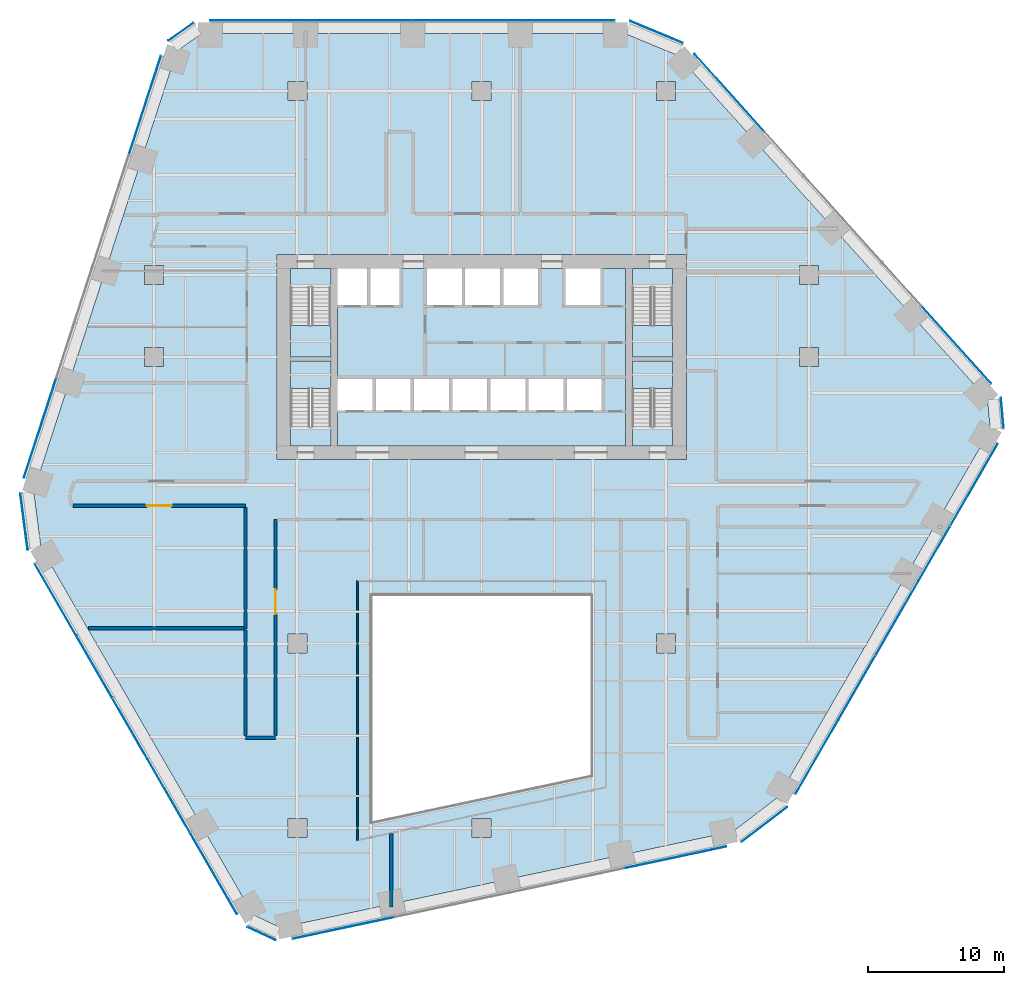
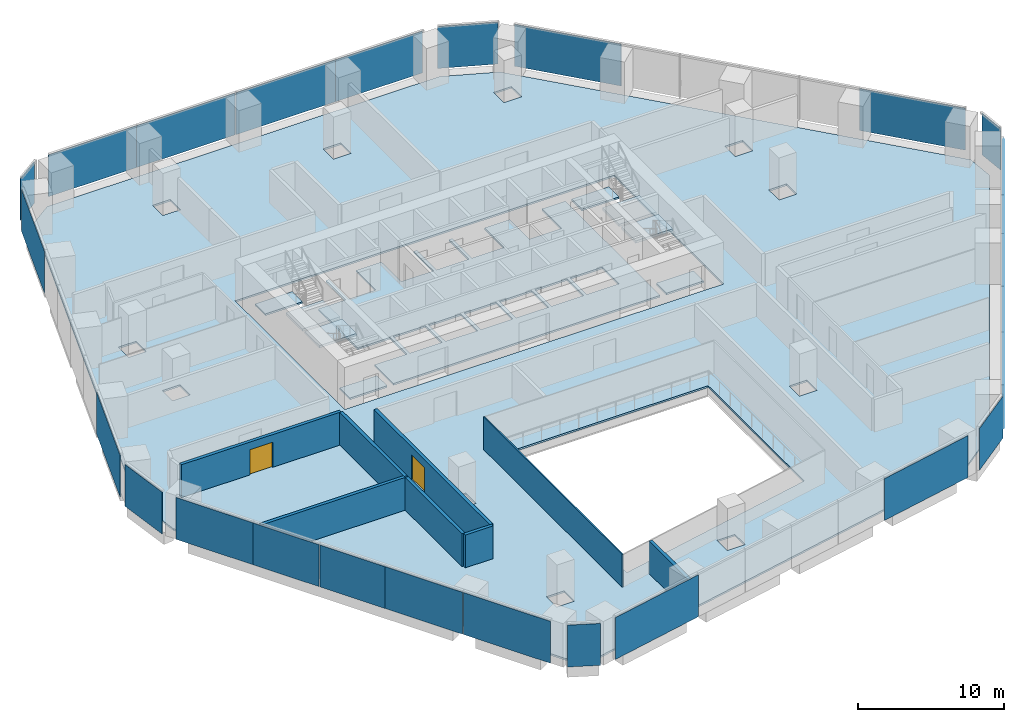
# One storey, part 13 of 20: 26 plates, 10 slabs, 8 walls, 2 doors, 2 openings, 16 elements without a shape of their own.
"""IFC4 building model written with IfcOpenShell, lengths in metres."""

import ifcopenshell
import ifcopenshell.guid

model = None  # the IFC model being written
_history = None  # IfcOwnerHistory: only IFC2X3 demands one
_inside = {}  # id of a spatial element -> (the spatial element, [elements in it])
_under = {}  # id of a project, library or spatial element -> (it, [spatial elements below it])
_declared = {}  # id of a project -> (the project, [libraries it declares])
_typed = {}  # id of a type object -> (the type object, [elements of that type])
_made_of = {}  # id of a material, layer set ... -> (it, [elements and type objects made of it])


def new_model(schema):
    """Start an empty IFC model of exactly this schema.

    Asked for "IFC4X3", IfcOpenShell would pick the latest addendum, in which some entities
    have other attributes; the version numbers below select the first issue.
    IFC2X3 requires an IfcOwnerHistory on every rooted entity: one is made here for all.
    """
    global model, _history
    if schema == "IFC4X3":
        model = ifcopenshell.file(schema_version=(4, 3, 0, 0))
    else:
        model = ifcopenshell.file(schema=schema)
    _inside.clear()
    _under.clear()
    _declared.clear()
    _typed.clear()
    _made_of.clear()
    _history = None
    if model.schema == "IFC2X3":
        org = make("IfcOrganization", Name="unknown")
        user = make(
            "IfcPersonAndOrganization",
            ThePerson=make("IfcPerson", FamilyName="unknown"),
            TheOrganization=org,
        )
        app = make(
            "IfcApplication",
            ApplicationDeveloper=org,
            Version="unknown",
            ApplicationFullName="unknown",
            ApplicationIdentifier="unknown",
        )
        _history = make(
            "IfcOwnerHistory",
            OwningUser=user,
            OwningApplication=app,
            ChangeAction="ADDED",
            CreationDate=0,
        )
    return model


def make(cls, **values):
    """One entity of the class cls with the attributes given. An attribute that is None is left unset."""
    return model.create_entity(
        cls, **{name: value for name, value in values.items() if value is not None}
    )


def rooted(cls, **values):
    """An entity with a GlobalId (a new one), such as an element, a storey or a relation."""
    return make(cls, GlobalId=ifcopenshell.guid.new(), OwnerHistory=_history, **values)


def si_unit(unit_type, name, prefix=None):
    """IfcSIUnit, for example si_unit("LENGTHUNIT", "METRE", prefix="MILLI")."""
    return make("IfcSIUnit", UnitType=unit_type, Prefix=prefix, Name=name)


def assignment(units):
    """IfcUnitAssignment: the units of a project."""
    return None if units is None else make("IfcUnitAssignment", Units=units)


def point(xyz):
    """IfcCartesianPoint."""
    return None if xyz is None else make("IfcCartesianPoint", Coordinates=xyz)


def direction(xyz):
    """IfcDirection."""
    return None if xyz is None else make("IfcDirection", DirectionRatios=xyz)


def frame(location, z_axis=None, x_axis=None):
    """IfcAxis2Placement3D, a coordinate frame: its origin and axes. An axis left out is left unset."""
    return make(
        "IfcAxis2Placement3D",
        Location=point(location),
        Axis=direction(z_axis),
        RefDirection=direction(x_axis),
    )


def frame_2d(location, x_axis=None):
    """IfcAxis2Placement2D, a coordinate frame in the plane: its origin and x axis."""
    return make(
        "IfcAxis2Placement2D", Location=point(location), RefDirection=direction(x_axis)
    )


def origin():
    """The frame at (0, 0, 0) with its axes left unset."""
    return frame((0.0, 0.0, 0.0))


def origin_2d():
    """The frame at (0, 0) in the plane with its x axis left unset."""
    return frame_2d((0.0, 0.0))


def place(relative_to, where):
    """IfcLocalPlacement: puts the frame where relative to a parent placement (None: the world)."""
    return make(
        "IfcLocalPlacement", PlacementRelTo=relative_to, RelativePlacement=where
    )


def context(
    kind, dimensions, precision=None, world=None, true_north=None, identifier=None
):
    """IfcGeometricRepresentationContext, for example the 3D "Model" context."""
    return make(
        "IfcGeometricRepresentationContext",
        ContextIdentifier=identifier,
        ContextType=kind,
        CoordinateSpaceDimension=dimensions,
        Precision=precision,
        WorldCoordinateSystem=world,
        TrueNorth=true_north,
    )


def subcontext(parent, identifier, kind, view, scale=None):
    """IfcGeometricRepresentationSubContext, for example "Body" below "Model"."""
    return make(
        "IfcGeometricRepresentationSubContext",
        ContextIdentifier=identifier,
        ContextType=kind,
        ParentContext=parent,
        TargetScale=scale,
        TargetView=view,
    )


def project(units=None, contexts=None):
    """IfcProject with its units and contexts."""
    return rooted(
        "IfcProject",
        Name="project",
        RepresentationContexts=contexts,
        UnitsInContext=assignment(units),
    )


def spatial(cls, under=None, at=None, **own):
    """A site, building, storey or space (cls), placed at a placement, below another one or the project."""
    s = rooted(cls, ObjectPlacement=at, **own)
    if under is not None:
        _under.setdefault(under.id(), (under, []))[1].append(s)
    return s


def polyline(points):
    """IfcPolyline through the points."""
    return make("IfcPolyline", Points=[point(p) for p in points])


def profile(cls, at=None, kind="AREA", **sizes):
    """A parametric profile (cls). Its sizes go by their IFC names, for example OverallWidth=200.0."""
    return make(cls, ProfileType=kind, Position=at, **sizes)


def rectangle(**sizes):
    """IfcRectangleProfileDef."""
    return profile("IfcRectangleProfileDef", **sizes)


def outline(outer, holes=None, kind="AREA"):
    """IfcArbitraryClosedProfileDef: a profile drawn as a closed curve; with holes, ...WithVoids."""
    if holes is None:
        return make("IfcArbitraryClosedProfileDef", ProfileType=kind, OuterCurve=outer)
    return make(
        "IfcArbitraryProfileDefWithVoids",
        ProfileType=kind,
        OuterCurve=outer,
        InnerCurves=holes,
    )


def extrude(swept, where, along, depth):
    """IfcExtrudedAreaSolid: the profile swept, set in the frame where, extruded along a direction by depth."""
    return make(
        "IfcExtrudedAreaSolid",
        SweptArea=swept,
        Position=where,
        ExtrudedDirection=direction(along),
        Depth=depth,
    )


def shape(context_of_items, identifier, shape_type, items):
    """IfcShapeRepresentation: the items that make up one representation, for example the "Body"."""
    return make(
        "IfcShapeRepresentation",
        ContextOfItems=context_of_items,
        RepresentationIdentifier=identifier,
        RepresentationType=shape_type,
        Items=items,
    )


def material(Name=None, Category=None):
    """IfcMaterial."""
    return make("IfcMaterial", Name=Name, Category=Category)


def layer(
    of_material, thickness, ventilated=None, Name=None, Category=None, Priority=None
):
    """IfcMaterialLayer: one layer of a wall or slab, of a material (None: an air gap)."""
    return make(
        "IfcMaterialLayer",
        Material=of_material,
        LayerThickness=thickness,
        IsVentilated=ventilated,
        Name=Name,
        Category=Category,
        Priority=Priority,
    )


def layer_set(layers, Name=None):
    """IfcMaterialLayerSet."""
    return make("IfcMaterialLayerSet", MaterialLayers=layers, LayerSetName=Name)


def made_of(thing, what):
    """Note that an element or type object is made of a material, layer set ...; save() writes the relation."""
    if what is not None:
        _made_of.setdefault(what.id(), (what, []))[1].append(thing)
    return thing


def type_object(cls, material=None, **own):
    """A type object (cls), such as IfcWallType, which elements share."""
    return made_of(rooted(cls, **own), material)


def element(
    cls,
    number,
    at=None,
    inside=None,
    cuts=None,
    type_object=None,
    material=None,
    context=None,
    identifier="Body",
    shape_type=None,
    held_by="IfcProductDefinitionShape",
    body=None,
    shapes=None,
    **own,
):
    """One element of the class cls, such as IfcWall. Its Tag is "e" and its number.

    at: its placement. inside: the storey or other place that contains it. cuts: it is an
    opening in that element (IfcRelVoidsElement). A single representation is given by context,
    identifier, shape_type and body (its items); several are given by shapes. held_by: the class
    of the entity that holds the representations. save() writes the other relations.
    """
    e = rooted(cls, Tag="e%d" % number, ObjectPlacement=at, **own)
    if body is not None:
        shapes = [shape(context, identifier, shape_type, body)]
    if shapes is not None:
        e.Representation = make(held_by, Representations=shapes)
    if inside is not None:
        _inside.setdefault(inside.id(), (inside, []))[1].append(e)
    if cuts is not None:
        rooted(
            "IfcRelVoidsElement", RelatingBuildingElement=cuts, RelatedOpeningElement=e
        )
    if type_object is not None:
        _typed.setdefault(type_object.id(), (type_object, []))[1].append(e)
    return made_of(e, material)


def fill(opening, filler):
    """IfcRelFillsElement: the door or window that sits in an opening."""
    return rooted(
        "IfcRelFillsElement",
        RelatingOpeningElement=opening,
        RelatedBuildingElement=filler,
    )


def aggregate(whole, parts):
    """IfcRelAggregates: a whole, such as a stair, and the parts it consists of."""
    return rooted("IfcRelAggregates", RelatingObject=whole, RelatedObjects=parts)


def save(model, path):
    """Write the relations noted so far, then the file.

    IfcRelAggregates (storeys below a building ...), IfcRelContainedInSpatialStructure (elements
    in a storey), IfcRelDefinesByType, IfcRelAssociatesMaterial and IfcRelDeclares: one each for
    every whole, place, type object, material and project.
    """
    for whole, parts in _under.values():
        aggregate(whole, parts)
    for where, things in _inside.values():
        rooted(
            "IfcRelContainedInSpatialStructure",
            RelatedElements=things,
            RelatingStructure=where,
        )
    for kind, things in _typed.values():
        rooted("IfcRelDefinesByType", RelatedObjects=things, RelatingType=kind)
    for what, things in _made_of.values():
        rooted("IfcRelAssociatesMaterial", RelatedObjects=things, RelatingMaterial=what)
    for by, libraries in _declared.values():
        rooted("IfcRelDeclares", RelatingContext=by, RelatedDefinitions=libraries)
    model.write(path)


model = new_model("IFC4")

# Units and contexts
model_context = context("Model", 3, precision=1e-05, world=origin(), true_north=direction((0.0, 1.0)))
body_context = subcontext(model_context, "Body", "Model", "MODEL_VIEW")
ifc_project = project(units=[si_unit("LENGTHUNIT", "METRE"), si_unit("AREAUNIT", "SQUARE_METRE"), si_unit("VOLUMEUNIT", "CUBIC_METRE"), si_unit("PLANEANGLEUNIT", "RADIAN"), si_unit("MASSUNIT", "GRAM", prefix="KILO")], contexts=[model_context])

# Site, building, storey
site_placement = place(None, origin())
site = spatial("IfcSite", under=ifc_project, at=site_placement, CompositionType="ELEMENT")
building_placement = place(site_placement, origin())
building = spatial("IfcBuilding", under=site, at=building_placement, Name="Isthmus Gate Tower", CompositionType="ELEMENT")
storey_placement = place(building_placement, frame((0.0, 0.0, 61.550048828125)))
storey = spatial("IfcBuildingStorey", under=building, at=storey_placement, Name="L13", CompositionType="ELEMENT", Elevation=61.550048828125)

# Slabs
ifc_material_1 = material(Name="Concrete f'c 40 MPa", Category="concrete")
ifc_layer_1 = layer(ifc_material_1, 0.14990234375)
ifc_layer_set_1 = layer_set([ifc_layer_1], Name="COMPOSITE FLOOR SLAB 150")
slab_type_1 = type_object("IfcSlabType", Name="COMPOSITE FLOOR SLAB 150", PredefinedType="FLOOR", material=ifc_layer_set_1)
slab_1_placement = place(storey_placement, frame((0.0, 0.0, -0.150146484375)))
element("IfcSlab", 1, at=slab_1_placement, inside=storey, type_object=slab_type_1, Name="str-slab-L13-1", PredefinedType="FLOOR", context=body_context, shape_type="SweptSolid", body=[
    extrude(outline(polyline([(14.391357421875, 29.599365234375), (37.081787109375, 4.399169921875), (37.281494140625, 2.17333984375), (21.748779296875, -24.729736328125), (18.438232421875, -27.262939453125), (-14.73095703125, -34.313232421875), (-16.758544921875, -33.373291015625), (-32.291015625, -6.47021484375), (-32.82958984375, -2.33642578125), (-22.3505859375, 29.9140625), (-20.52294921875, 31.199951171875), (10.542236328125, 31.199951171875), (14.391357421875, 29.599365234375)]), holes=[polyline([(-14.199951171875, -27.699951171875), (-12.800048828125, -27.699951171875), (-12.800048828125, -26.300048828125), (-14.199951171875, -26.300048828125), (-14.199951171875, -27.699951171875)]), polyline([(-0.699951171875, -26.300048828125), (-0.699951171875, -27.699951171875), (0.699951171875, -27.699951171875), (0.699951171875, -26.300048828125), (-0.699951171875, -26.300048828125)]), polyline([(-14.199951171875, -12.800048828125), (-14.199951171875, -14.199951171875), (-12.800048828125, -14.199951171875), (-12.800048828125, -12.800048828125), (-14.199951171875, -12.800048828125)]), polyline([(-24.699951171875, 8.199951171875), (-24.699951171875, 6.800048828125), (-23.300048828125, 6.800048828125), (-23.300048828125, 8.199951171875), (-24.699951171875, 8.199951171875)]), polyline([(-23.300048828125, 14.199951171875), (-24.699951171875, 14.199951171875), (-24.699951171875, 12.800048828125), (-23.300048828125, 12.800048828125), (-23.300048828125, 14.199951171875)]), polyline([(-14.199951171875, 27.699951171875), (-14.199951171875, 26.300048828125), (-12.800048828125, 26.300048828125), (-12.800048828125, 27.699951171875), (-14.199951171875, 27.699951171875)]), polyline([(-0.699951171875, 27.699951171875), (-0.699951171875, 26.300048828125), (0.699951171875, 26.300048828125), (0.699951171875, 27.699951171875), (-0.699951171875, 27.699951171875)]), polyline([(8.0, -23.143310546875), (8.0, -10.0), (-8.0, -10.0), (-8.0, -26.544189453125), (8.0, -23.143310546875)]), polyline([(14.199951171875, -12.800048828125), (12.800048828125, -12.800048828125), (12.800048828125, -14.199951171875), (14.199951171875, -14.199951171875), (14.199951171875, -12.800048828125)]), polyline([(15.0, 15.0), (-15.0, 15.0), (-15.0, 0.0), (15.0, 0.0), (15.0, 15.0)]), polyline([(24.699951171875, 8.199951171875), (23.300048828125, 8.199951171875), (23.300048828125, 6.800048828125), (24.699951171875, 6.800048828125), (24.699951171875, 8.199951171875)]), polyline([(23.300048828125, 14.199951171875), (23.300048828125, 12.800048828125), (24.699951171875, 12.800048828125), (24.699951171875, 14.199951171875), (23.300048828125, 14.199951171875)]), polyline([(14.199951171875, 27.699951171875), (12.800048828125, 27.699951171875), (12.800048828125, 26.300048828125), (14.199951171875, 26.300048828125), (14.199951171875, 27.699951171875)])]), origin(), (0.0, 0.0, 1.0), 0.150146484375),
])
ifc_material_2 = material(Name="Concrete f'c 40 MPa", Category="concrete")
ifc_layer_2 = layer(ifc_material_2, 0.14990234375)
ifc_layer_set_2 = layer_set([ifc_layer_2], Name="CORE FLOOR SLAB 150")
slab_type_2 = type_object("IfcSlabType", Name="CORE FLOOR SLAB 150", PredefinedType="FLOOR", material=ifc_layer_set_2)
slab_2_placement = place(storey_placement, frame((0.0, 0.0, -0.150146484375)))
element("IfcSlab", 2, at=slab_2_placement, inside=storey, type_object=slab_type_2, Name="L13 core floor", PredefinedType="FLOOR", context=body_context, shape_type="SweptSolid", body=[
    extrude(outline(polyline([(-11.050048828125, 1.0), (-11.050048828125, 2.402099609375), (-14.0, 2.402099609375), (-14.0, 1.0), (-11.050048828125, 1.0)])), origin(), (0.0, 0.0, 1.0), 0.150146484375),
])
slab_3_placement = place(storey_placement, frame((0.0, 0.0, -0.150146484375)))
element("IfcSlab", 3, at=slab_3_placement, inside=storey, type_object=slab_type_2, Name="L13 core floor", PredefinedType="FLOOR", context=body_context, shape_type="SweptSolid", body=[
    extrude(outline(polyline([(-14.0, 14.0), (-14.0, 12.597900390625), (-11.050048828125, 12.597900390625), (-11.050048828125, 14.0), (-14.0, 14.0)])), origin(), (0.0, 0.0, 1.0), 0.150146484375),
])
slab_4_placement = place(storey_placement, frame((0.0, 0.0, -0.150146484375)))
element("IfcSlab", 4, at=slab_4_placement, inside=storey, type_object=slab_type_2, Name="L13 core floor", PredefinedType="FLOOR", context=body_context, shape_type="SweptSolid", body=[
    extrude(outline(polyline([(10.550048828125, 14.0), (8.699951171875, 14.0), (8.699951171875, 11.300048828125), (6.14990234375, 11.300048828125), (6.14990234375, 14.0), (4.14990234375, 14.0), (4.14990234375, 11.300048828125), (1.60009765625, 11.300048828125), (1.60009765625, 14.0), (1.35009765625, 14.0), (1.35009765625, 11.300048828125), (-1.199951171875, 11.300048828125), (-1.199951171875, 14.0), (-1.449951171875, 14.0), (-1.449951171875, 11.300048828125), (-4.0, 11.300048828125), (-4.0, 14.0), (-6.0, 14.0), (-6.0, 11.300048828125), (-8.14990234375, 11.300048828125), (-8.14990234375, 14.0), (-8.39990234375, 14.0), (-8.39990234375, 11.300048828125), (-10.550048828125, 11.300048828125), (-10.550048828125, 5.89990234375), (-8.0, 5.89990234375), (-8.0, 3.60009765625), (-10.550048828125, 3.60009765625), (-10.550048828125, 1.0), (10.550048828125, 1.0), (10.550048828125, 14.0)]), holes=[polyline([(-5.199951171875, 5.89990234375), (-5.199951171875, 3.60009765625), (-7.75, 3.60009765625), (-7.75, 5.89990234375), (-5.199951171875, 5.89990234375)]), polyline([(-2.39990234375, 5.89990234375), (-2.39990234375, 3.60009765625), (-4.949951171875, 3.60009765625), (-4.949951171875, 5.89990234375), (-2.39990234375, 5.89990234375)]), polyline([(0.39990234375, 5.89990234375), (0.39990234375, 3.60009765625), (-2.14990234375, 3.60009765625), (-2.14990234375, 5.89990234375), (0.39990234375, 5.89990234375)]), polyline([(3.199951171875, 5.89990234375), (3.199951171875, 3.60009765625), (0.64990234375, 3.60009765625), (0.64990234375, 5.89990234375), (3.199951171875, 5.89990234375)]), polyline([(6.0, 5.89990234375), (6.0, 3.60009765625), (3.449951171875, 3.60009765625), (3.449951171875, 5.89990234375), (6.0, 5.89990234375)]), polyline([(8.800048828125, 5.89990234375), (8.800048828125, 3.60009765625), (6.25, 3.60009765625), (6.25, 5.89990234375), (8.800048828125, 5.89990234375)])]), origin(), (0.0, 0.0, 1.0), 0.150146484375),
])
slab_5_placement = place(storey_placement, frame((0.0, 0.0, -0.150146484375)))
element("IfcSlab", 5, at=slab_5_placement, inside=storey, type_object=slab_type_2, Name="L13 core floor", PredefinedType="FLOOR", context=body_context, shape_type="SweptSolid", body=[
    extrude(outline(polyline([(14.0, 1.0), (14.0, 2.402099609375), (11.050048828125, 2.402099609375), (11.050048828125, 1.0), (14.0, 1.0)])), origin(), (0.0, 0.0, 1.0), 0.150146484375),
])
slab_6_placement = place(storey_placement, frame((0.0, 0.0, -0.150146484375)))
element("IfcSlab", 6, at=slab_6_placement, inside=storey, type_object=slab_type_2, Name="L13 core floor", PredefinedType="FLOOR", context=body_context, shape_type="SweptSolid", body=[
    extrude(outline(polyline([(11.050048828125, 14.0), (11.050048828125, 12.597900390625), (14.0, 12.597900390625), (14.0, 14.0), (11.050048828125, 14.0)])), origin(), (0.0, 0.0, 1.0), 0.150146484375),
])

# Curtain wall, plates
ifc_material_3 = material(Name="Aluminium, pale champagne anodised", Category="aluminium")
ifc_layer_3 = layer(ifc_material_3, 0.199951171875)
ifc_layer_set_3 = layer_set([ifc_layer_3], Name="CW-1 UNITISED CURTAIN WALL 200 DEEP")
curtain_wall_type = type_object("IfcCurtainWallType", Name="CW-1 UNITISED CURTAIN WALL 200 DEEP", PredefinedType="NOTDEFINED", material=ifc_layer_set_3)
curtain_wall_1_placement = place(storey_placement, origin())
curtain_wall_1 = element("IfcCurtainWall", 7, at=curtain_wall_1_placement, inside=storey, type_object=curtain_wall_type, Name="CW-1 N L13", PredefinedType="NOTDEFINED")
ifc_material_4 = material(Name="Laminated low-iron glass, pale blue tint", Category="glass")
ifc_layer_4 = layer(ifc_material_4, 0.0400390625)
ifc_layer_set_4 = layer_set([ifc_layer_4], Name="CW-1 CLEAR GLASS LITE 40")
plate_type = type_object("IfcPlateType", Name="CW-1 CLEAR GLASS LITE 40", PredefinedType="CURTAIN_PANEL", material=ifc_layer_set_4)
plate_1_placement = place(storey_placement, frame((6.287109375, 32.179931640625, 0.0), z_axis=(0.0, 0.0, 1.0), x_axis=(-1.0, 0.0, 0.0)))
plate_1 = element("IfcPlate", 8, at=plate_1_placement, type_object=plate_type, Name="CW-1 glass lite", PredefinedType="CURTAIN_PANEL", context=body_context, shape_type="SweptSolid", body=[
    extrude(rectangle(XDim=6.909423828125, YDim=0.0400390625, at=origin_2d()), origin(), (0.0, 0.0, 1.0), 3.5),
])
plate_2_placement = place(storey_placement, frame((-1.1025390625, 32.179931640625, 0.0), z_axis=(0.0, 0.0, 1.0), x_axis=(-1.0, 0.0, 0.0)))
plate_2 = element("IfcPlate", 9, at=plate_2_placement, type_object=plate_type, Name="CW-1 glass lite", PredefinedType="CURTAIN_PANEL", context=body_context, shape_type="SweptSolid", body=[
    extrude(rectangle(XDim=7.86962890625, YDim=0.0400390625, at=origin_2d()), origin(), (0.0, 0.0, 1.0), 3.5),
])
plate_3_placement = place(storey_placement, frame((-9.001953125, 32.179931640625, 0.0), z_axis=(0.0, 0.0, 1.0), x_axis=(-1.0, 0.0, 0.0)))
plate_3 = element("IfcPlate", 10, at=plate_3_placement, type_object=plate_type, Name="CW-1 glass lite", PredefinedType="CURTAIN_PANEL", context=body_context, shape_type="SweptSolid", body=[
    extrude(rectangle(XDim=7.8095703125, YDim=0.0400390625, at=origin_2d()), origin(), (0.0, 0.0, 1.0), 3.5),
])
plate_4_placement = place(storey_placement, frame((-16.391357421875, 32.179931640625, 0.0), z_axis=(0.0, 0.0, 1.0), x_axis=(-1.0, 0.0, 0.0)))
plate_4 = element("IfcPlate", 11, at=plate_4_placement, type_object=plate_type, Name="CW-1 glass lite", PredefinedType="CURTAIN_PANEL", context=body_context, shape_type="SweptSolid", body=[
    extrude(rectangle(XDim=6.969482421875, YDim=0.0400390625, at=origin_2d()), origin(), (0.0, 0.0, 1.0), 3.5),
])
aggregate(curtain_wall_1, [plate_1, plate_2, plate_3, plate_4])

# Curtain wall, plate
curtain_wall_2_placement = place(storey_placement, origin())
curtain_wall_2 = element("IfcCurtainWall", 12, at=curtain_wall_2_placement, inside=storey, type_object=curtain_wall_type, Name="CW-1 N-NW L13", PredefinedType="NOTDEFINED")
plate_5_placement = place(storey_placement, frame((-22.025146484375, 31.341552734375, 0.0), z_axis=(0.0, 0.0, 1.0), x_axis=(-0.81785959165, -0.57541783805, 0.0)))
plate_5 = element("IfcPlate", 13, at=plate_5_placement, type_object=plate_type, Name="CW-1 glass lite", PredefinedType="CURTAIN_PANEL", context=body_context, shape_type="SweptSolid", body=[
    extrude(rectangle(XDim=2.258544921875, YDim=0.0400390625, at=origin_2d()), origin(), (0.0, 0.0, 1.0), 3.5),
])
aggregate(curtain_wall_2, [plate_5])

# Curtain wall, plates
curtain_wall_3_placement = place(storey_placement, origin())
curtain_wall_3 = element("IfcCurtainWall", 14, at=curtain_wall_3_placement, inside=storey, type_object=curtain_wall_type, Name="CW-1 NW L13", PredefinedType="NOTDEFINED")
plate_6_placement = place(storey_placement, frame((-24.67578125, 25.9296875, 0.0), z_axis=(0.0, 0.0, 1.0), x_axis=(-0.309016994375, -0.951056516295, 0.0)))
plate_6 = element("IfcPlate", 15, at=plate_6_placement, type_object=plate_type, Name="CW-1 glass lite", PredefinedType="CURTAIN_PANEL", context=body_context, shape_type="SweptSolid", body=[
    extrude(rectangle(XDim=7.62939453125, YDim=0.0400390625, at=origin_2d()), origin(), (0.0, 0.0, 1.0), 3.5),
])
plate_7_placement = place(storey_placement, frame((-32.35107421875, 2.30712890625, 0.0), z_axis=(0.0, 0.0, 1.0), x_axis=(-0.309016994375, -0.951056516295, 0.0)))
plate_7 = element("IfcPlate", 16, at=plate_7_placement, type_object=plate_type, Name="CW-1 glass lite", PredefinedType="CURTAIN_PANEL", context=body_context, shape_type="SweptSolid", body=[
    extrude(rectangle(XDim=7.689453125, YDim=0.0400390625, at=origin_2d()), origin(), (0.0, 0.0, 1.0), 3.5),
])
aggregate(curtain_wall_3, [plate_6, plate_7])

# Curtain wall, plate
curtain_wall_4_placement = place(storey_placement, origin())
curtain_wall_4 = element("IfcCurtainWall", 17, at=curtain_wall_4_placement, inside=storey, type_object=curtain_wall_type, Name="CW-1 NW-SW L13", PredefinedType="NOTDEFINED")
plate_8_placement = place(storey_placement, frame((-33.5283203125, -4.558349609375, 0.0), z_axis=(0.0, 0.0, 1.0), x_axis=(0.129164534, -0.991623175988, 0.0)))
plate_8 = element("IfcPlate", 18, at=plate_8_placement, type_object=plate_type, Name="CW-1 glass lite", PredefinedType="CURTAIN_PANEL", context=body_context, shape_type="SweptSolid", body=[
    extrude(rectangle(XDim=4.181396484375, YDim=0.0400390625, at=origin_2d()), origin(), (0.0, 0.0, 1.0), 3.5),
])
aggregate(curtain_wall_4, [plate_8])

# Curtain wall, plates
curtain_wall_5_placement = place(storey_placement, origin())
curtain_wall_5 = element("IfcCurtainWall", 19, at=curtain_wall_5_placement, inside=storey, type_object=curtain_wall_type, Name="CW-1 SW L13", PredefinedType="NOTDEFINED")
plate_9_placement = place(storey_placement, frame((-31.22119140625, -10.283203125, 0.0), z_axis=(0.0, 0.0, 1.0), x_axis=(0.5, -0.866025403784, 0.0)))
plate_9 = element("IfcPlate", 20, at=plate_9_placement, type_object=plate_type, Name="CW-1 glass lite", PredefinedType="CURTAIN_PANEL", context=body_context, shape_type="SweptSolid", body=[
    extrude(rectangle(XDim=6.07373046875, YDim=0.0400390625, at=origin_2d()), origin(), (0.0, 0.0, 1.0), 3.5),
])
plate_10_placement = place(storey_placement, frame((-28.394287109375, -15.179443359375, 0.0), z_axis=(0.0, 0.0, 1.0), x_axis=(0.5, -0.866025403784, 0.0)))
plate_10 = element("IfcPlate", 21, at=plate_10_placement, type_object=plate_type, Name="CW-1 glass lite", PredefinedType="CURTAIN_PANEL", context=body_context, shape_type="SweptSolid", body=[
    extrude(rectangle(XDim=5.233642578125, YDim=0.0400390625, at=origin_2d()), origin(), (0.0, 0.0, 1.0), 3.5),
])
plate_11_placement = place(storey_placement, frame((-25.7626953125, -19.73779296875, 0.0), z_axis=(0.0, 0.0, 1.0), x_axis=(0.5, -0.866025403784, 0.0)))
plate_11 = element("IfcPlate", 22, at=plate_11_placement, type_object=plate_type, Name="CW-1 glass lite", PredefinedType="CURTAIN_PANEL", context=body_context, shape_type="SweptSolid", body=[
    extrude(rectangle(XDim=5.173583984375, YDim=0.0400390625, at=origin_2d()), origin(), (0.0, 0.0, 1.0), 3.5),
])
plate_12_placement = place(storey_placement, frame((-22.935791015625, -24.634033203125, 0.0), z_axis=(0.0, 0.0, 1.0), x_axis=(0.5, -0.866025403784, 0.0)))
plate_12 = element("IfcPlate", 23, at=plate_12_placement, type_object=plate_type, Name="CW-1 glass lite", PredefinedType="CURTAIN_PANEL", context=body_context, shape_type="SweptSolid", body=[
    extrude(rectangle(XDim=6.133544921875, YDim=0.0400390625, at=origin_2d()), origin(), (0.0, 0.0, 1.0), 3.5),
])
plate_13_placement = place(storey_placement, frame((-19.6513671875, -30.32275390625, 0.0), z_axis=(0.0, 0.0, 1.0), x_axis=(0.5, -0.866025403784, 0.0)))
plate_13 = element("IfcPlate", 24, at=plate_13_placement, type_object=plate_type, Name="CW-1 glass lite", PredefinedType="CURTAIN_PANEL", context=body_context, shape_type="SweptSolid", body=[
    extrude(rectangle(XDim=6.883544921875, YDim=0.0400390625, at=origin_2d()), origin(), (0.0, 0.0, 1.0), 3.5),
])
aggregate(curtain_wall_5, [plate_9, plate_10, plate_11, plate_12, plate_13])

# Curtain wall, plate
curtain_wall_6_placement = place(storey_placement, origin())
curtain_wall_6 = element("IfcCurtainWall", 25, at=curtain_wall_6_placement, inside=storey, type_object=curtain_wall_type, Name="CW-1 SW-S L13", PredefinedType="NOTDEFINED")
plate_14_placement = place(storey_placement, frame((-16.1298828125, -34.7451171875, 0.0), z_axis=(0.0, 0.0, 1.0), x_axis=(0.907256261367, -0.420578264073, 0.0)))
plate_14 = element("IfcPlate", 26, at=plate_14_placement, type_object=plate_type, Name="CW-1 glass lite", PredefinedType="CURTAIN_PANEL", context=body_context, shape_type="SweptSolid", body=[
    extrude(rectangle(XDim=2.258544921875, YDim=0.0400390625, at=origin_2d()), origin(), (0.0, 0.0, 1.0), 3.5),
])
aggregate(curtain_wall_6, [plate_14])

# Curtain wall, plates
curtain_wall_7_placement = place(storey_placement, origin())
curtain_wall_7 = element("IfcCurtainWall", 27, at=curtain_wall_7_placement, inside=storey, type_object=curtain_wall_type, Name="CW-1 S L13", PredefinedType="NOTDEFINED")
plate_15_placement = place(storey_placement, frame((-10.117919921875, -34.334716796875, 0.0), z_axis=(0.0, 0.0, 1.0), x_axis=(0.978147600734, 0.207911690818, 0.0)))
plate_15 = element("IfcPlate", 28, at=plate_15_placement, type_object=plate_type, Name="CW-1 glass lite", PredefinedType="CURTAIN_PANEL", context=body_context, shape_type="SweptSolid", body=[
    extrude(rectangle(XDim=7.62939453125, YDim=0.0400390625, at=origin_2d()), origin(), (0.0, 0.0, 1.0), 3.5),
])
plate_16_placement = place(storey_placement, frame((14.177490234375, -29.17041015625, 0.0), z_axis=(0.0, 0.0, 1.0), x_axis=(0.978147600734, 0.207911690818, 0.0)))
plate_16 = element("IfcPlate", 29, at=plate_16_placement, type_object=plate_type, Name="CW-1 glass lite", PredefinedType="CURTAIN_PANEL", context=body_context, shape_type="SweptSolid", body=[
    extrude(rectangle(XDim=7.689453125, YDim=0.0400390625, at=origin_2d()), origin(), (0.0, 0.0, 1.0), 3.5),
])
aggregate(curtain_wall_7, [plate_15, plate_16])

# Curtain wall, plate
curtain_wall_8_placement = place(storey_placement, origin())
curtain_wall_8 = element("IfcCurtainWall", 30, at=curtain_wall_8_placement, inside=storey, type_object=curtain_wall_type, Name="CW-1 S-SE L13", PredefinedType="NOTDEFINED")
plate_17_placement = place(storey_placement, frame((20.711669921875, -26.75732421875, 0.0), z_axis=(0.0, 0.0, 1.0), x_axis=(0.794188594387, 0.607671355706, 0.0)))
plate_17 = element("IfcPlate", 31, at=plate_17_placement, type_object=plate_type, Name="CW-1 glass lite", PredefinedType="CURTAIN_PANEL", context=body_context, shape_type="SweptSolid", body=[
    extrude(rectangle(XDim=4.181396484375, YDim=0.0400390625, at=origin_2d()), origin(), (0.0, 0.0, 1.0), 3.5),
])
aggregate(curtain_wall_8, [plate_17])

# Curtain wall, plates
curtain_wall_9_placement = place(storey_placement, origin())
curtain_wall_9 = element("IfcCurtainWall", 32, at=curtain_wall_9_placement, inside=storey, type_object=curtain_wall_type, Name="CW-1 SE L13", PredefinedType="NOTDEFINED")
plate_18_placement = place(storey_placement, frame((24.5673828125, -21.80810546875, 0.0), z_axis=(0.0, 0.0, 1.0), x_axis=(0.5, 0.866025403784, 0.0)))
plate_18 = element("IfcPlate", 33, at=plate_18_placement, type_object=plate_type, Name="CW-1 glass lite", PredefinedType="CURTAIN_PANEL", context=body_context, shape_type="SweptSolid", body=[
    extrude(rectangle(XDim=6.278564453125, YDim=0.0400390625, at=origin_2d()), origin(), (0.0, 0.0, 1.0), 3.5),
])
plate_19_placement = place(storey_placement, frame((27.49658203125, -16.734375, 0.0), z_axis=(0.0, 0.0, 1.0), x_axis=(0.5, 0.866025403784, 0.0)))
plate_19 = element("IfcPlate", 34, at=plate_19_placement, type_object=plate_type, Name="CW-1 glass lite", PredefinedType="CURTAIN_PANEL", context=body_context, shape_type="SweptSolid", body=[
    extrude(rectangle(XDim=5.4384765625, YDim=0.0400390625, at=origin_2d()), origin(), (0.0, 0.0, 1.0), 3.5),
])
plate_20_placement = place(storey_placement, frame((30.4560546875, -11.608642578125, 0.0), z_axis=(0.0, 0.0, 1.0), x_axis=(0.5, 0.866025403784, 0.0)))
plate_20 = element("IfcPlate", 35, at=plate_20_placement, type_object=plate_type, Name="CW-1 glass lite", PredefinedType="CURTAIN_PANEL", context=body_context, shape_type="SweptSolid", body=[
    extrude(rectangle(XDim=6.278564453125, YDim=0.0400390625, at=origin_2d()), origin(), (0.0, 0.0, 1.0), 3.5),
])
plate_21_placement = place(storey_placement, frame((33.173828125, -6.901123046875, 0.0), z_axis=(0.0, 0.0, 1.0), x_axis=(0.5, 0.866025403784, 0.0)))
plate_21 = element("IfcPlate", 36, at=plate_21_placement, type_object=plate_type, Name="CW-1 glass lite", PredefinedType="CURTAIN_PANEL", context=body_context, shape_type="SweptSolid", body=[
    extrude(rectangle(XDim=4.5927734375, YDim=0.0400390625, at=origin_2d()), origin(), (0.0, 0.0, 1.0), 3.5),
])
plate_22_placement = place(storey_placement, frame((36.079345703125, -1.86865234375, 0.0), z_axis=(0.0, 0.0, 1.0), x_axis=(0.5, 0.866025403784, 0.0)))
plate_22 = element("IfcPlate", 37, at=plate_22_placement, type_object=plate_type, Name="CW-1 glass lite", PredefinedType="CURTAIN_PANEL", context=body_context, shape_type="SweptSolid", body=[
    extrude(rectangle(XDim=6.909423828125, YDim=0.0400390625, at=origin_2d()), origin(), (0.0, 0.0, 1.0), 3.5),
])
aggregate(curtain_wall_9, [plate_18, plate_19, plate_20, plate_21, plate_22])

# Curtain wall, plate
curtain_wall_10_placement = place(storey_placement, origin())
curtain_wall_10 = element("IfcCurtainWall", 38, at=curtain_wall_10_placement, inside=storey, type_object=curtain_wall_type, Name="CW-1 SE-NE L13", PredefinedType="NOTDEFINED")
plate_23_placement = place(storey_placement, frame((38.155029296875, 3.403564453125, 0.0), z_axis=(0.0, 0.0, 1.0), x_axis=(-0.089396669717, 0.995996102123, 0.0)))
plate_23 = element("IfcPlate", 39, at=plate_23_placement, type_object=plate_type, Name="CW-1 glass lite", PredefinedType="CURTAIN_PANEL", context=body_context, shape_type="SweptSolid", body=[
    extrude(rectangle(XDim=2.258544921875, YDim=0.0400390625, at=origin_2d()), origin(), (0.0, 0.0, 1.0), 3.5),
])
aggregate(curtain_wall_10, [plate_23])

# Curtain wall, plates
curtain_wall_11_placement = place(storey_placement, origin())
curtain_wall_11 = element("IfcCurtainWall", 40, at=curtain_wall_11_placement, inside=storey, type_object=curtain_wall_type, Name="CW-1 NE L13", PredefinedType="NOTDEFINED")
plate_24_placement = place(storey_placement, frame((34.79345703125, 8.405029296875, 0.0), z_axis=(0.0, 0.0, 1.0), x_axis=(-0.669130606359, 0.743144825477, 0.0)))
plate_24 = element("IfcPlate", 41, at=plate_24_placement, type_object=plate_type, Name="CW-1 glass lite", PredefinedType="CURTAIN_PANEL", context=body_context, shape_type="SweptSolid", body=[
    extrude(rectangle(XDim=7.62939453125, YDim=0.0400390625, at=origin_2d()), origin(), (0.0, 0.0, 1.0), 3.5),
])
plate_25_placement = place(storey_placement, frame((18.173583984375, 26.86328125, 0.0), z_axis=(0.0, 0.0, 1.0), x_axis=(-0.669130606359, 0.743144825477, 0.0)))
plate_25 = element("IfcPlate", 42, at=plate_25_placement, type_object=plate_type, Name="CW-1 glass lite", PredefinedType="CURTAIN_PANEL", context=body_context, shape_type="SweptSolid", body=[
    extrude(rectangle(XDim=7.689453125, YDim=0.0400390625, at=origin_2d()), origin(), (0.0, 0.0, 1.0), 3.5),
])
aggregate(curtain_wall_11, [plate_24, plate_25])

# Curtain wall, plate
curtain_wall_12_placement = place(storey_placement, origin())
curtain_wall_12 = element("IfcCurtainWall", 43, at=curtain_wall_12_placement, inside=storey, type_object=curtain_wall_type, Name="CW-1 NE-N L13", PredefinedType="NOTDEFINED")
plate_26_placement = place(storey_placement, frame((12.816650390625, 31.315673828125, 0.0), z_axis=(0.0, 0.0, 1.0), x_axis=(-0.923353128387, 0.383951820282, 0.0)))
plate_26 = element("IfcPlate", 44, at=plate_26_placement, type_object=plate_type, Name="CW-1 glass lite", PredefinedType="CURTAIN_PANEL", context=body_context, shape_type="SweptSolid", body=[
    extrude(rectangle(XDim=4.181396484375, YDim=0.0400390625, at=origin_2d()), origin(), (0.0, 0.0, 1.0), 3.5),
])
aggregate(curtain_wall_12, [plate_26])

# Stair, slab
ifc_material_5 = material(Name="Concrete f'c 40 MPa", Category="concrete")
stair_type = type_object("IfcStairType", Name="CORE STAIR 22 RISERS", PredefinedType="HALF_TURN_STAIR", material=ifc_material_5)
stair_1_placement = place(storey_placement, origin())
stair_1 = element("IfcStair", 45, at=stair_1_placement, inside=storey, type_object=stair_type, Name="L13 Exit Stair 1", PredefinedType="HALF_TURN_STAIR")
ifc_material_6 = material(Name="Concrete f'c 40 MPa", Category="concrete")
ifc_layer_5 = layer(ifc_material_6, 0.199951171875)
ifc_layer_set_5 = layer_set([ifc_layer_5])
slab_type_3 = type_object("IfcSlabType", Name="STAIR LANDING RC 200", PredefinedType="LANDING", material=ifc_layer_set_5)
slab_7_placement = place(storey_placement, frame((0.0, 0.0, 1.625)))
slab_7 = element("IfcSlab", 46, at=slab_7_placement, type_object=slab_type_3, Name="ST1 landing 1", PredefinedType="LANDING", context=body_context, shape_type="SweptSolid", body=[
    extrude(outline(polyline([(-14.0, 9.800048828125), (-14.0, 7.5), (-11.050048828125, 7.5), (-11.050048828125, 9.800048828125), (-14.0, 9.800048828125)])), origin(), (0.0, 0.0, 1.0), 0.199951171875),
])
aggregate(stair_1, [slab_7])

stair_2_placement = place(storey_placement, origin())
stair_2 = element("IfcStair", 47, at=stair_2_placement, inside=storey, type_object=stair_type, Name="L13 Exit Stair 2", PredefinedType="HALF_TURN_STAIR")
slab_8_placement = place(storey_placement, frame((0.0, 0.0, 1.625)))
slab_8 = element("IfcSlab", 48, at=slab_8_placement, type_object=slab_type_3, Name="ST2 landing 1", PredefinedType="LANDING", context=body_context, shape_type="SweptSolid", body=[
    extrude(outline(polyline([(11.050048828125, 9.800048828125), (11.050048828125, 7.5), (14.0, 7.5), (14.0, 9.800048828125), (11.050048828125, 9.800048828125)])), origin(), (0.0, 0.0, 1.0), 0.199951171875),
])
aggregate(stair_2, [slab_8])

stair_3_placement = place(storey_placement, origin())
stair_3 = element("IfcStair", 49, at=stair_3_placement, inside=storey, type_object=stair_type, Name="L13 Exit Stair 7", PredefinedType="HALF_TURN_STAIR")
slab_9_placement = place(storey_placement, frame((0.0, 0.0, 1.625)))
slab_9 = element("IfcSlab", 50, at=slab_9_placement, type_object=slab_type_3, Name="ST7 landing 1", PredefinedType="LANDING", context=body_context, shape_type="SweptSolid", body=[
    extrude(outline(polyline([(-11.050048828125, 5.199951171875), (-11.050048828125, 7.199951171875), (-14.0, 7.199951171875), (-14.0, 5.199951171875), (-11.050048828125, 5.199951171875)])), origin(), (0.0, 0.0, 1.0), 0.199951171875),
])
aggregate(stair_3, [slab_9])

stair_4_placement = place(storey_placement, origin())
stair_4 = element("IfcStair", 51, at=stair_4_placement, inside=storey, type_object=stair_type, Name="L13 Exit Stair 8", PredefinedType="HALF_TURN_STAIR")
slab_10_placement = place(storey_placement, frame((0.0, 0.0, 1.625)))
slab_10 = element("IfcSlab", 52, at=slab_10_placement, type_object=slab_type_3, Name="ST8 landing 1", PredefinedType="LANDING", context=body_context, shape_type="SweptSolid", body=[
    extrude(outline(polyline([(14.0, 5.199951171875), (14.0, 7.199951171875), (11.050048828125, 7.199951171875), (11.050048828125, 5.199951171875), (14.0, 5.199951171875)])), origin(), (0.0, 0.0, 1.0), 0.199951171875),
])
aggregate(stair_4, [slab_10])

# Wall, opening, door
ifc_material_7 = material(Name="Double-leaf acoustic stud wall, fire-rated", Category="gypsum")
ifc_layer_6 = layer(ifc_material_7, 0.25)
ifc_layer_set_6 = layer_set([ifc_layer_6], Name="ACOUSTIC WALL 250 60 MIN")
wall_type_1 = type_object("IfcWallType", Name="ACOUSTIC WALL 250 60 MIN", PredefinedType="PARTITIONING", material=ifc_layer_set_6)
wall_1_placement = place(storey_placement, frame((-17.300048828125, -3.39990234375, 0.0), z_axis=(0.0, 0.0, 1.0), x_axis=(-1.0, 0.0, 0.0)))
wall_1 = element("IfcWall", 53, at=wall_1_placement, inside=storey, type_object=wall_type_1, Name="L13 Acoustic Wall 250 60 Min", PredefinedType="PARTITIONING", context=body_context, shape_type="SweptSolid", body=[
    extrude(rectangle(XDim=12.64404296875, YDim=0.25, at=frame_2d((6.322021484375, 0.0))), origin(), (0.0, 0.0, 1.0), 2.7412109375),
])
opening_1_placement = place(wall_1_placement, frame((5.422119140625, 0.0, 0.0)))
opening_1 = element("IfcOpeningElement", 54, at=opening_1_placement, cuts=wall_1, Name="Opening DT-T1C-10", PredefinedType="OPENING", context=body_context, shape_type="SweptSolid", body=[
    extrude(rectangle(XDim=1.800048828125, YDim=2.10009765625, at=frame_2d((0.89990234375, 1.050048828125))), frame((0.0, 0.135009765625, 0.0), z_axis=(0.0, -1.0, 0.0), x_axis=(1.0, 0.0, 0.0)), (0.0, 0.0, 1.0), 0.27001953125),
])
ifc_material_8 = material(Name="Solid core timber door leaf, fire-rated", Category="wood")
door_type = type_object("IfcDoorType", Name="FIRE DOOR ACOUSTIC ROOM 1800 X 2100 60 MIN", OperationType="DOUBLE_DOOR_DOUBLE_SWING", PredefinedType="DOOR", material=ifc_material_8)
door_1_placement = place(opening_1_placement, origin())
door_1 = element("IfcDoor", 55, at=door_1_placement, inside=storey, type_object=door_type, Name="L13 room door", OperationType="DOUBLE_DOOR_DOUBLE_SWING", OverallHeight=2.10009765625, OverallWidth=1.800048828125, PredefinedType="DOOR", context=body_context, shape_type="SweptSolid", body=[
    extrude(rectangle(XDim=1.800048828125, YDim=2.10009765625, at=frame_2d((0.89990234375, 1.050048828125))), frame((0.0, 0.02490234375, 0.0), z_axis=(0.0, -1.0, 0.0), x_axis=(1.0, 0.0, 0.0)), (0.0, 0.0, 1.0), 0.050048828125),
])
fill(opening_1, door_1)

# Wall
wall_2_placement = place(storey_placement, frame((-15.10009765625, -20.39990234375, 0.0), z_axis=(0.0, 0.0, 1.0), x_axis=(-1.0, 0.0, 0.0)))
element("IfcWall", 56, at=wall_2_placement, inside=storey, type_object=wall_type_1, Name="L13 Acoustic Wall 250 60 Min", PredefinedType="PARTITIONING", context=body_context, shape_type="SweptSolid", body=[
    extrude(rectangle(XDim=2.199951171875, YDim=0.25, at=frame_2d((1.10009765625, 0.0))), origin(), (0.0, 0.0, 1.0), 2.7412109375),
])

# Wall, opening, door
wall_3_placement = place(storey_placement, frame((-15.10009765625, -4.39990234375, 0.0), z_axis=(0.0, 0.0, 1.0), x_axis=(0.0, -1.0, 0.0)))
wall_3 = element("IfcWall", 57, at=wall_3_placement, inside=storey, type_object=wall_type_1, Name="L13 Acoustic Wall 250 60 Min", PredefinedType="PARTITIONING", context=body_context, shape_type="SweptSolid", body=[
    extrude(rectangle(XDim=15.875, YDim=0.25, at=frame_2d((7.9375, 0.0))), origin(), (0.0, 0.0, 1.0), 2.7412109375),
])
opening_2_placement = place(wall_3_placement, frame((5.132568359375, 0.0, 0.0)))
opening_2 = element("IfcOpeningElement", 58, at=opening_2_placement, cuts=wall_3, Name="Opening DT-T1C-14", PredefinedType="OPENING", context=body_context, shape_type="SweptSolid", body=[
    extrude(rectangle(XDim=1.800048828125, YDim=2.10009765625, at=frame_2d((0.89990234375, 1.050048828125))), frame((0.0, 0.135009765625, 0.0), z_axis=(0.0, -1.0, 0.0), x_axis=(1.0, 0.0, 0.0)), (0.0, 0.0, 1.0), 0.27001953125),
])
door_2_placement = place(opening_2_placement, origin())
door_2 = element("IfcDoor", 59, at=door_2_placement, inside=storey, type_object=door_type, Name="L13 room door", OperationType="DOUBLE_DOOR_DOUBLE_SWING", OverallHeight=2.10009765625, OverallWidth=1.800048828125, PredefinedType="DOOR", context=body_context, shape_type="SweptSolid", body=[
    extrude(rectangle(XDim=1.800048828125, YDim=2.10009765625, at=frame_2d((0.89990234375, 1.050048828125))), frame((0.0, 0.02490234375, 0.0), z_axis=(0.0, -1.0, 0.0), x_axis=(1.0, 0.0, 0.0)), (0.0, 0.0, 1.0), 0.050048828125),
])
fill(opening_2, door_2)

# Walls
wall_4_placement = place(storey_placement, frame((-17.300048828125, -12.373046875, 0.0), z_axis=(0.0, 0.0, 1.0), x_axis=(0.0, 1.0, 0.0)))
element("IfcWall", 60, at=wall_4_placement, inside=storey, type_object=wall_type_1, Name="L13 Acoustic Wall 250 60 Min", PredefinedType="PARTITIONING", context=body_context, shape_type="SweptSolid", body=[
    extrude(rectangle(XDim=8.84814453125, YDim=0.25, at=frame_2d((4.424072265625, 0.0))), origin(), (0.0, 0.0, 1.0), 2.7412109375),
])
wall_5_placement = place(storey_placement, frame((-28.81396484375, -12.373046875, 0.0), z_axis=(0.0, 0.0, 1.0), x_axis=(1.0, 0.0, 0.0)))
element("IfcWall", 61, at=wall_5_placement, inside=storey, type_object=wall_type_1, Name="L13 Acoustic Wall 250 60 Min", PredefinedType="PARTITIONING", context=body_context, shape_type="SweptSolid", body=[
    extrude(rectangle(XDim=11.388916015625, YDim=0.25, at=frame_2d((5.6943359375, 0.0))), origin(), (0.0, 0.0, 1.0), 2.7412109375),
])
wall_6_placement = place(storey_placement, frame((-17.300048828125, -20.27490234375, 0.0), z_axis=(0.0, 0.0, 1.0), x_axis=(0.0, 1.0, 0.0)))
element("IfcWall", 62, at=wall_6_placement, inside=storey, type_object=wall_type_1, Name="L13 Acoustic Wall 250 60 Min", PredefinedType="PARTITIONING", context=body_context, shape_type="SweptSolid", body=[
    extrude(rectangle(XDim=7.77685546875, YDim=0.25, at=frame_2d((3.888427734375, 0.0))), origin(), (0.0, 0.0, 1.0), 2.7412109375),
])
wall_7_placement = place(storey_placement, frame((-6.611083984375, -32.7919921875, 0.0), z_axis=(0.0, 0.0, 1.0), x_axis=(0.0, 1.0, 0.0)))
element("IfcWall", 63, at=wall_7_placement, inside=storey, type_object=wall_type_1, Name="L13 Acoustic Wall 250 60 Min", PredefinedType="PARTITIONING", context=body_context, shape_type="SweptSolid", body=[
    extrude(rectangle(XDim=5.366943359375, YDim=0.25, at=frame_2d((2.68359375, 0.0))), origin(), (0.0, 0.0, 1.0), 2.7412109375),
])
ifc_material_9 = material(Name="Fire-rated laminated glass in steel frame", Category="steel")
ifc_layer_7 = layer(ifc_material_9, 0.10009765625)
ifc_layer_set_7 = layer_set([ifc_layer_7], Name="ATRIUM SCREEN GLAZED WALL 100 120 MIN")
wall_type_2 = type_object("IfcWallType", Name="ATRIUM SCREEN GLAZED WALL 100 120 MIN", PredefinedType="PARTITIONING", material=ifc_layer_set_7)
wall_8_placement = place(storey_placement, frame((-9.10009765625, -27.902587890625, 0.0), z_axis=(0.0, 0.0, 1.0), x_axis=(0.0, 1.0, 0.0)))
element("IfcWall", 64, at=wall_8_placement, inside=storey, type_object=wall_type_2, Name="L13 atrium screen", PredefinedType="PARTITIONING", context=body_context, shape_type="SweptSolid", body=[
    extrude(rectangle(XDim=19.002685546875, YDim=0.10009765625, at=frame_2d((9.50146484375, 0.0))), origin(), (0.0, 0.0, 1.0), 2.7412109375),
])

save(model, "model.ifc")
